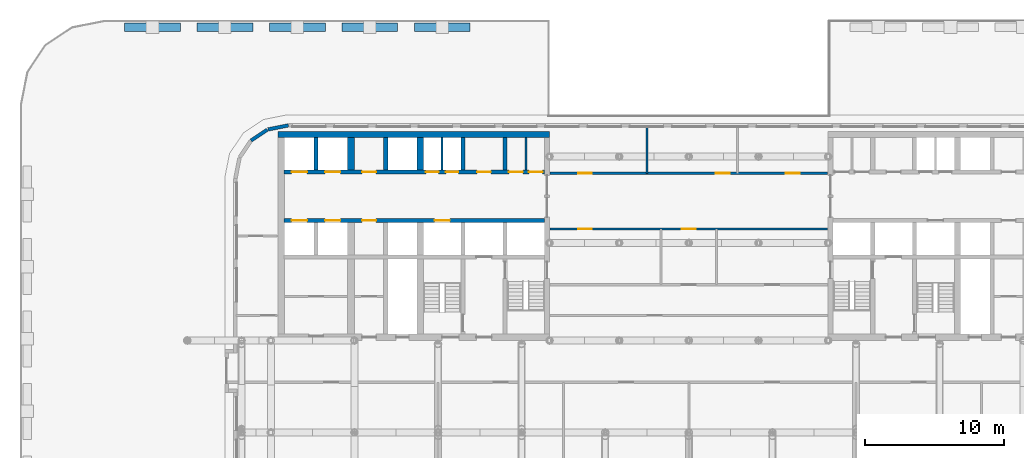
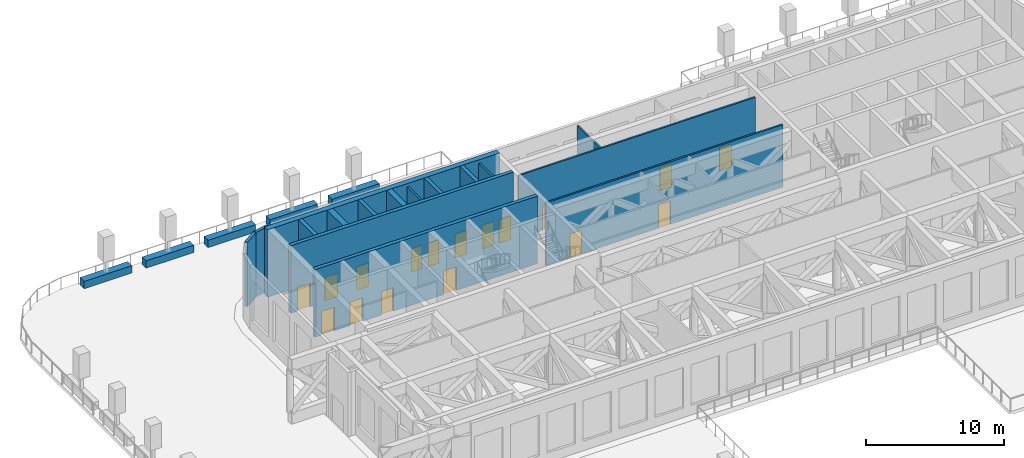
# One storey, part 12 of 20: 21 walls, 17 doors, 17 openings.
"""IFC4 building model written with IfcOpenShell, lengths in metres."""

from ifc_helpers import new_model, si_unit, direction, frame, frame_2d, origin, place, context, subcontext, project, spatial, rectangle, extrude, material, layer, layer_set, type_object, element, fill, save


model = new_model("IFC4")

# Units and contexts
model_context = context("Model", 3, precision=1e-05, world=origin(), true_north=direction((0.0, 1.0)))
body_context = subcontext(model_context, "Body", "Model", "MODEL_VIEW")
ifc_project = project(units=[si_unit("LENGTHUNIT", "METRE"), si_unit("AREAUNIT", "SQUARE_METRE"), si_unit("VOLUMEUNIT", "CUBIC_METRE"), si_unit("PLANEANGLEUNIT", "RADIAN"), si_unit("MASSUNIT", "GRAM", prefix="KILO")], contexts=[model_context])

# Site, building, storey
site_placement = place(None, origin())
site = spatial("IfcSite", under=ifc_project, at=site_placement, CompositionType="ELEMENT")
building_placement = place(site_placement, origin())
building = spatial("IfcBuilding", under=site, at=building_placement, Name="Torana Hotel and Residences", CompositionType="ELEMENT")
storey_placement = place(building_placement, frame((0.0, 0.0, 18.0)))
storey = spatial("IfcBuildingStorey", under=building, at=storey_placement, Name="L03", CompositionType="ELEMENT", Elevation=18.0)

# Wall, openings, doors
ifc_material_1 = material(Name="Concrete C80/95", Category="concrete")
ifc_layer_1 = layer(ifc_material_1, 0.300048828125)
ifc_layer_set_1 = layer_set([ifc_layer_1], Name="CORE WALL 300 C80/95")
wall_type_1 = type_object("IfcWallType", Name="CORE WALL 300 C80/95", PredefinedType="SHEAR", material=ifc_layer_set_1)
wall_1_placement = place(storey_placement, frame((-29.050048828125, -2.89990234375, 0.0), z_axis=(0.0, 0.0, 1.0), x_axis=(1.0, 0.0, 0.0)))
wall_1 = element("IfcWall", 1, at=wall_1_placement, inside=storey, type_object=wall_type_1, Name="Core wall W row-N", PredefinedType="SHEAR", context=body_context, shape_type="SweptSolid", body=[
    extrude(rectangle(XDim=18.699951171875, YDim=0.300048828125, at=frame_2d((9.35009765625, 0.0))), origin(), (0.0, 0.0, 1.0), 6.0),
])
opening_1_placement = place(wall_1_placement, frame((2.949951171875, 0.0, 0.0)))
opening_1 = element("IfcOpeningElement", 2, at=opening_1_placement, cuts=wall_1, Name="Opening LD", PredefinedType="OPENING", context=body_context, shape_type="SweptSolid", body=[
    extrude(rectangle(XDim=1.10009765625, YDim=2.10009765625, at=frame_2d((0.550048828125, 1.050048828125))), frame((0.0, 0.159912109375, 0.0), z_axis=(0.0, -1.0, 0.0), x_axis=(1.0, 0.0, 0.0)), (0.0, 0.0, 1.0), 0.320068359375),
])
opening_2_placement = place(wall_1_placement, frame((0.550048828125, 0.0, 0.0)))
opening_2 = element("IfcOpeningElement", 3, at=opening_2_placement, cuts=wall_1, Name="Opening LD", PredefinedType="OPENING", context=body_context, shape_type="SweptSolid", body=[
    extrude(rectangle(XDim=1.10009765625, YDim=2.10009765625, at=frame_2d((0.550048828125, 1.050048828125))), frame((0.0, 0.159912109375, 0.0), z_axis=(0.0, -1.0, 0.0), x_axis=(1.0, 0.0, 0.0)), (0.0, 0.0, 1.0), 0.320068359375),
])
opening_3_placement = place(wall_1_placement, frame((11.612548828125, 0.0, 0.0)))
opening_3 = element("IfcOpeningElement", 4, at=opening_3_placement, cuts=wall_1, Name="Opening L03-09", PredefinedType="OPENING", context=body_context, shape_type="SweptSolid", body=[
    extrude(rectangle(XDim=0.89990234375, YDim=2.10009765625, at=frame_2d((0.449951171875, 1.050048828125))), frame((0.0, 0.159912109375, 0.0), z_axis=(0.0, -1.0, 0.0), x_axis=(1.0, 0.0, 0.0)), (0.0, 0.0, 1.0), 0.320068359375),
])
opening_4_placement = place(wall_1_placement, frame((10.1875, 0.0, 0.0)))
opening_4 = element("IfcOpeningElement", 5, at=opening_4_placement, cuts=wall_1, Name="Opening L03-10", PredefinedType="OPENING", context=body_context, shape_type="SweptSolid", body=[
    extrude(rectangle(XDim=0.89990234375, YDim=2.10009765625, at=frame_2d((0.449951171875, 1.050048828125))), frame((0.0, 0.159912109375, 0.0), z_axis=(0.0, -1.0, 0.0), x_axis=(1.0, 0.0, 0.0)), (0.0, 0.0, 1.0), 0.320068359375),
])
opening_5_placement = place(wall_1_placement, frame((17.5625, 0.0, 0.0)))
opening_5 = element("IfcOpeningElement", 6, at=opening_5_placement, cuts=wall_1, Name="Opening L03-11", PredefinedType="OPENING", context=body_context, shape_type="SweptSolid", body=[
    extrude(rectangle(XDim=1.0, YDim=2.10009765625, at=frame_2d((0.5, 1.050048828125))), frame((0.0, 0.159912109375, 0.0), z_axis=(0.0, -1.0, 0.0), x_axis=(1.0, 0.0, 0.0)), (0.0, 0.0, 1.0), 0.320068359375),
])
opening_6_placement = place(wall_1_placement, frame((16.137451171875, 0.0, 0.0)))
opening_6 = element("IfcOpeningElement", 7, at=opening_6_placement, cuts=wall_1, Name="Opening L03-12", PredefinedType="OPENING", context=body_context, shape_type="SweptSolid", body=[
    extrude(rectangle(XDim=1.0, YDim=2.10009765625, at=frame_2d((0.5, 1.050048828125))), frame((0.0, 0.159912109375, 0.0), z_axis=(0.0, -1.0, 0.0), x_axis=(1.0, 0.0, 0.0)), (0.0, 0.0, 1.0), 0.320068359375),
])
opening_7_placement = place(wall_1_placement, frame((13.85009765625, 0.0, 0.0)))
opening_7 = element("IfcOpeningElement", 8, at=opening_7_placement, cuts=wall_1, Name="Opening L03-13", PredefinedType="OPENING", context=body_context, shape_type="SweptSolid", body=[
    extrude(rectangle(XDim=1.0, YDim=2.10009765625, at=frame_2d((0.5, 1.050048828125))), frame((0.0, 0.159912109375, 0.0), z_axis=(0.0, -1.0, 0.0), x_axis=(1.0, 0.0, 0.0)), (0.0, 0.0, 1.0), 0.320068359375),
])
opening_8_placement = place(wall_1_placement, frame((5.60009765625, 0.0, 0.0)))
opening_8 = element("IfcOpeningElement", 9, at=opening_8_placement, cuts=wall_1, Name="Opening L03-14", PredefinedType="OPENING", context=body_context, shape_type="SweptSolid", body=[
    extrude(rectangle(XDim=1.0, YDim=2.10009765625, at=frame_2d((0.5, 1.050048828125))), frame((0.0, 0.159912109375, 0.0), z_axis=(0.0, -1.0, 0.0), x_axis=(1.0, 0.0, 0.0)), (0.0, 0.0, 1.0), 0.320068359375),
])
ifc_material_2 = material(Name="Steel S235", Category="steel")
door_type_1 = type_object("IfcDoorType", Name="CORE ROOM FIRE DOOR D14 1000x2100", OperationType="SINGLE_SWING_LEFT", PredefinedType="DOOR", material=ifc_material_2)
door_1_placement = place(opening_5_placement, origin())
door_1 = element("IfcDoor", 10, at=door_1_placement, inside=storey, type_object=door_type_1, Name="N0A door L03", OperationType="SINGLE_SWING_RIGHT", OverallHeight=2.10009765625, OverallWidth=1.0, PredefinedType="DOOR", context=body_context, shape_type="SweptSolid", body=[
    extrude(rectangle(XDim=1.0, YDim=2.10009765625, at=frame_2d((0.5, 1.050048828125))), frame((0.0, 0.02490234375, 0.0), z_axis=(0.0, -1.0, 0.0), x_axis=(1.0, 0.0, 0.0)), (0.0, 0.0, 1.0), 0.050048828125),
])
fill(opening_5, door_1)
door_2_placement = place(opening_6_placement, origin())
door_2 = element("IfcDoor", 11, at=door_2_placement, inside=storey, type_object=door_type_1, Name="N0B door L03", OperationType="SINGLE_SWING_RIGHT", OverallHeight=2.10009765625, OverallWidth=1.0, PredefinedType="DOOR", context=body_context, shape_type="SweptSolid", body=[
    extrude(rectangle(XDim=1.0, YDim=2.10009765625, at=frame_2d((0.5, 1.050048828125))), frame((0.0, 0.02490234375, 0.0), z_axis=(0.0, -1.0, 0.0), x_axis=(1.0, 0.0, 0.0)), (0.0, 0.0, 1.0), 0.050048828125),
])
fill(opening_6, door_2)
door_3_placement = place(opening_7_placement, origin())
door_3 = element("IfcDoor", 12, at=door_3_placement, inside=storey, type_object=door_type_1, Name="N1 door L03", OperationType="SINGLE_SWING_RIGHT", OverallHeight=2.10009765625, OverallWidth=1.0, PredefinedType="DOOR", context=body_context, shape_type="SweptSolid", body=[
    extrude(rectangle(XDim=1.0, YDim=2.10009765625, at=frame_2d((0.5, 1.050048828125))), frame((0.0, 0.02490234375, 0.0), z_axis=(0.0, -1.0, 0.0), x_axis=(1.0, 0.0, 0.0)), (0.0, 0.0, 1.0), 0.050048828125),
])
fill(opening_7, door_3)
door_4_placement = place(opening_8_placement, origin())
door_4 = element("IfcDoor", 13, at=door_4_placement, inside=storey, type_object=door_type_1, Name="Free-M1 door L03", OperationType="SINGLE_SWING_RIGHT", OverallHeight=2.10009765625, OverallWidth=1.0, PredefinedType="DOOR", context=body_context, shape_type="SweptSolid", body=[
    extrude(rectangle(XDim=1.0, YDim=2.10009765625, at=frame_2d((0.5, 1.050048828125))), frame((0.0, 0.02490234375, 0.0), z_axis=(0.0, -1.0, 0.0), x_axis=(1.0, 0.0, 0.0)), (0.0, 0.0, 1.0), 0.050048828125),
])
fill(opening_8, door_4)
ifc_material_3 = material(Name="Stainless steel 316", Category="steel")
door_type_2 = type_object("IfcDoorType", Name="LIFT LANDING DOOR LD 1100x2100", OperationType="DOUBLE_DOOR_SLIDING", PredefinedType="USERDEFINED", material=ifc_material_3)
door_5_placement = place(opening_1_placement, origin())
door_5 = element("IfcDoor", 14, at=door_5_placement, inside=storey, type_object=door_type_2, Name="Lift landing door L1 L03", ObjectType="LIFT LANDING DOOR", OperationType="DOUBLE_DOOR_SLIDING", OverallHeight=2.10009765625, OverallWidth=1.10009765625, PredefinedType="USERDEFINED", context=body_context, shape_type="SweptSolid", body=[
    extrude(rectangle(XDim=1.10009765625, YDim=2.10009765625, at=frame_2d((0.550048828125, 1.050048828125))), frame((0.0, 0.02490234375, 0.0), z_axis=(0.0, -1.0, 0.0), x_axis=(1.0, 0.0, 0.0)), (0.0, 0.0, 1.0), 0.050048828125),
])
fill(opening_1, door_5)
door_6_placement = place(opening_2_placement, origin())
door_6 = element("IfcDoor", 15, at=door_6_placement, inside=storey, type_object=door_type_2, Name="Lift landing door L2 L03", ObjectType="LIFT LANDING DOOR", OperationType="DOUBLE_DOOR_SLIDING", OverallHeight=2.10009765625, OverallWidth=1.10009765625, PredefinedType="USERDEFINED", context=body_context, shape_type="SweptSolid", body=[
    extrude(rectangle(XDim=1.10009765625, YDim=2.10009765625, at=frame_2d((0.550048828125, 1.050048828125))), frame((0.0, 0.02490234375, 0.0), z_axis=(0.0, -1.0, 0.0), x_axis=(1.0, 0.0, 0.0)), (0.0, 0.0, 1.0), 0.050048828125),
])
fill(opening_2, door_6)
ifc_material_4 = material(Name="Steel S235", Category="steel")
door_type_3 = type_object("IfcDoorType", Name="RISER ACCESS DOOR D5 900x2100", OperationType="SINGLE_SWING_LEFT", PredefinedType="DOOR", material=ifc_material_4)
door_7_placement = place(opening_3_placement, origin())
door_7 = element("IfcDoor", 16, at=door_7_placement, inside=storey, type_object=door_type_3, Name="N2A door L03", OperationType="SINGLE_SWING_RIGHT", OverallHeight=2.10009765625, OverallWidth=0.89990234375, PredefinedType="DOOR", context=body_context, shape_type="SweptSolid", body=[
    extrude(rectangle(XDim=0.89990234375, YDim=2.10009765625, at=frame_2d((0.449951171875, 1.050048828125))), frame((0.0, 0.02490234375, 0.0), z_axis=(0.0, -1.0, 0.0), x_axis=(1.0, 0.0, 0.0)), (0.0, 0.0, 1.0), 0.050048828125),
])
fill(opening_3, door_7)
door_8_placement = place(opening_4_placement, origin())
door_8 = element("IfcDoor", 17, at=door_8_placement, inside=storey, type_object=door_type_3, Name="N2B door L03", OperationType="SINGLE_SWING_RIGHT", OverallHeight=2.10009765625, OverallWidth=0.89990234375, PredefinedType="DOOR", context=body_context, shape_type="SweptSolid", body=[
    extrude(rectangle(XDim=0.89990234375, YDim=2.10009765625, at=frame_2d((0.449951171875, 1.050048828125))), frame((0.0, 0.02490234375, 0.0), z_axis=(0.0, -1.0, 0.0), x_axis=(1.0, 0.0, 0.0)), (0.0, 0.0, 1.0), 0.050048828125),
])
fill(opening_4, door_8)

wall_2_placement = place(storey_placement, frame((-29.050048828125, -6.39990234375, 0.0), z_axis=(0.0, 0.0, 1.0), x_axis=(1.0, 0.0, 0.0)))
wall_2 = element("IfcWall", 18, at=wall_2_placement, inside=storey, type_object=wall_type_1, Name="Core wall W row-S", PredefinedType="SHEAR", context=body_context, shape_type="SweptSolid", body=[
    extrude(rectangle(XDim=18.699951171875, YDim=0.300048828125, at=frame_2d((9.35009765625, 0.0))), origin(), (0.0, 0.0, 1.0), 6.0),
])
opening_9_placement = place(wall_2_placement, frame((2.949951171875, 0.0, 0.0)))
opening_9 = element("IfcOpeningElement", 19, at=opening_9_placement, cuts=wall_2, Name="Opening LD", PredefinedType="OPENING", context=body_context, shape_type="SweptSolid", body=[
    extrude(rectangle(XDim=1.10009765625, YDim=2.10009765625, at=frame_2d((0.550048828125, 1.050048828125))), frame((0.0, 0.159912109375, 0.0), z_axis=(0.0, -1.0, 0.0), x_axis=(1.0, 0.0, 0.0)), (0.0, 0.0, 1.0), 0.320068359375),
])
opening_10_placement = place(wall_2_placement, frame((0.550048828125, 0.0, 0.0)))
opening_10 = element("IfcOpeningElement", 20, at=opening_10_placement, cuts=wall_2, Name="Opening LD", PredefinedType="OPENING", context=body_context, shape_type="SweptSolid", body=[
    extrude(rectangle(XDim=1.10009765625, YDim=2.10009765625, at=frame_2d((0.550048828125, 1.050048828125))), frame((0.0, 0.159912109375, 0.0), z_axis=(0.0, -1.0, 0.0), x_axis=(1.0, 0.0, 0.0)), (0.0, 0.0, 1.0), 0.320068359375),
])
opening_11_placement = place(wall_2_placement, frame((10.800048828125, 0.0, 0.0)))
opening_11 = element("IfcOpeningElement", 21, at=opening_11_placement, cuts=wall_2, Name="Opening LD", PredefinedType="OPENING", context=body_context, shape_type="SweptSolid", body=[
    extrude(rectangle(XDim=1.10009765625, YDim=2.10009765625, at=frame_2d((0.550048828125, 1.050048828125))), frame((0.0, 0.159912109375, 0.0), z_axis=(0.0, -1.0, 0.0), x_axis=(1.0, 0.0, 0.0)), (0.0, 0.0, 1.0), 0.320068359375),
])
opening_12_placement = place(wall_2_placement, frame((5.60009765625, 0.0, 0.0)))
opening_12 = element("IfcOpeningElement", 22, at=opening_12_placement, cuts=wall_2, Name="Opening L03-15", PredefinedType="OPENING", context=body_context, shape_type="SweptSolid", body=[
    extrude(rectangle(XDim=1.0, YDim=2.10009765625, at=frame_2d((0.5, 1.050048828125))), frame((0.0, 0.159912109375, 0.0), z_axis=(0.0, -1.0, 0.0), x_axis=(1.0, 0.0, 0.0)), (0.0, 0.0, 1.0), 0.320068359375),
])
door_9_placement = place(opening_12_placement, frame((0.5, 0.0, 0.0), z_axis=(0.0, 0.0, 1.0), x_axis=(-1.0, 0.0, 0.0)))
door_9 = element("IfcDoor", 23, at=door_9_placement, inside=storey, type_object=door_type_1, Name="Free-M2 door L03", OperationType="SINGLE_SWING_LEFT", OverallHeight=2.10009765625, OverallWidth=1.0, PredefinedType="DOOR", context=body_context, shape_type="SweptSolid", body=[
    extrude(rectangle(XDim=1.0, YDim=2.10009765625, at=frame_2d((0.0, 1.050048828125))), frame((0.0, -0.02490234375, 0.0), z_axis=(0.0, 1.0, 0.0), x_axis=(-1.0, 0.0, 0.0)), (0.0, 0.0, 1.0), 0.050048828125),
])
fill(opening_12, door_9)
door_10_placement = place(opening_9_placement, origin())
door_10 = element("IfcDoor", 24, at=door_10_placement, inside=storey, type_object=door_type_2, Name="Lift landing door L3 L03", ObjectType="LIFT LANDING DOOR", OperationType="DOUBLE_DOOR_SLIDING", OverallHeight=2.10009765625, OverallWidth=1.10009765625, PredefinedType="USERDEFINED", context=body_context, shape_type="SweptSolid", body=[
    extrude(rectangle(XDim=1.10009765625, YDim=2.10009765625, at=frame_2d((0.550048828125, 1.050048828125))), frame((0.0, 0.02490234375, 0.0), z_axis=(0.0, -1.0, 0.0), x_axis=(1.0, 0.0, 0.0)), (0.0, 0.0, 1.0), 0.050048828125),
])
fill(opening_9, door_10)
door_11_placement = place(opening_10_placement, origin())
door_11 = element("IfcDoor", 25, at=door_11_placement, inside=storey, type_object=door_type_2, Name="Lift landing door L4 L03", ObjectType="LIFT LANDING DOOR", OperationType="DOUBLE_DOOR_SLIDING", OverallHeight=2.10009765625, OverallWidth=1.10009765625, PredefinedType="USERDEFINED", context=body_context, shape_type="SweptSolid", body=[
    extrude(rectangle(XDim=1.10009765625, YDim=2.10009765625, at=frame_2d((0.550048828125, 1.050048828125))), frame((0.0, 0.02490234375, 0.0), z_axis=(0.0, -1.0, 0.0), x_axis=(1.0, 0.0, 0.0)), (0.0, 0.0, 1.0), 0.050048828125),
])
fill(opening_10, door_11)
door_12_placement = place(opening_11_placement, origin())
door_12 = element("IfcDoor", 26, at=door_12_placement, inside=storey, type_object=door_type_2, Name="Lift landing door SV1 L03", ObjectType="LIFT LANDING DOOR", OperationType="DOUBLE_DOOR_SLIDING", OverallHeight=2.10009765625, OverallWidth=1.10009765625, PredefinedType="USERDEFINED", context=body_context, shape_type="SweptSolid", body=[
    extrude(rectangle(XDim=1.10009765625, YDim=2.10009765625, at=frame_2d((0.550048828125, 1.050048828125))), frame((0.0, 0.02490234375, 0.0), z_axis=(0.0, -1.0, 0.0), x_axis=(1.0, 0.0, 0.0)), (0.0, 0.0, 1.0), 0.050048828125),
])
fill(opening_11, door_12)

# Walls
for number, where, z_axis, x_axis, name in (
    (27, (-13.199951171875, -2.75, 0.0), (0.0, 0.0, 1.0), (0.0, 1.0, 0.0), "Core wall W x3.05-N"),
    (28, (-16.199951171875, -2.75, 0.0), (0.0, 0.0, 1.0), (0.0, 1.0, 0.0), "Core wall W x6.05-N"),
    (29, (-21.75, -2.75, 0.0), (0.0, 0.0, 1.0), (0.0, 1.0, 0.0), "Core wall W mm-N"),
    (30, (-26.75, -2.75, 0.0), (0.0, 0.0, 1.0), (0.0, 1.0, 0.0), "Core wall W ll-N"),
):
    element("IfcWall", number, at=place(storey_placement, frame(where, z_axis=z_axis, x_axis=x_axis)), inside=storey, type_object=wall_type_1, Name=name, PredefinedType="SHEAR", context=body_context, shape_type="SweptSolid", body=[
        extrude(rectangle(XDim=2.300048828125, YDim=0.300048828125, at=frame_2d((1.14990234375, 0.0))), origin(), (0.0, 0.0, 1.0), 6.0),
    ])
ifc_material_5 = material(Name="Concrete C80/95", Category="concrete")
ifc_layer_2 = layer(ifc_material_5, 0.449951171875)
ifc_layer_set_2 = layer_set([ifc_layer_2], Name="CORE WALL 450 C80/95")
wall_type_2 = type_object("IfcWallType", Name="CORE WALL 450 C80/95", PredefinedType="SHEAR", material=ifc_layer_set_2)
wall_3_placement = place(storey_placement, frame((-29.5, -0.22509765625, 0.0), z_axis=(0.0, 0.0, 1.0), x_axis=(1.0, 0.0, 0.0)))
element("IfcWall", 31, at=wall_3_placement, inside=storey, type_object=wall_type_2, Name="Core wall W rear", PredefinedType="SHEAR", context=body_context, shape_type="SweptSolid", body=[
    extrude(rectangle(XDim=19.5, YDim=0.449951171875, at=frame_2d((9.75, 0.0))), origin(), (0.0, 0.0, 1.0), 6.0),
])
wall_4_placement = place(storey_placement, frame((-19.27490234375, -2.75, 0.0), z_axis=(0.0, 0.0, 1.0), x_axis=(0.0, 1.0, 0.0)))
element("IfcWall", 32, at=wall_4_placement, inside=storey, type_object=wall_type_2, Name="Core wall W hm-N", PredefinedType="SHEAR", context=body_context, shape_type="SweptSolid", body=[
    extrude(rectangle(XDim=2.300048828125, YDim=0.449951171875, at=frame_2d((1.14990234375, 0.0))), origin(), (0.0, 0.0, 1.0), 6.0),
])
ifc_material_6 = material(Name="Concrete C80/95", Category="concrete")
ifc_layer_3 = layer(ifc_material_6, 0.5)
ifc_layer_set_3 = layer_set([ifc_layer_3], Name="CORE WALL 500 C80/95")
wall_type_3 = type_object("IfcWallType", Name="CORE WALL 500 C80/95", PredefinedType="SHEAR", material=ifc_layer_set_3)
wall_5_placement = place(storey_placement, frame((-24.25, -2.75, 0.0), z_axis=(0.0, 0.0, 1.0), x_axis=(0.0, 1.0, 0.0)))
element("IfcWall", 33, at=wall_5_placement, inside=storey, type_object=wall_type_3, Name="Core wall W ml-N", PredefinedType="SHEAR", context=body_context, shape_type="SweptSolid", body=[
    extrude(rectangle(XDim=2.300048828125, YDim=0.5, at=frame_2d((1.14990234375, 0.0))), origin(), (0.0, 0.0, 1.0), 6.0),
])
ifc_material_7 = material(Name="Aluminium louvre wall", Category="aluminium")
ifc_layer_4 = layer(ifc_material_7, 0.25)
ifc_layer_set_4 = layer_set([ifc_layer_4], Name="EW3 LOUVRE WALL 250")
wall_type_4 = type_object("IfcWallType", Name="EW3 LOUVRE WALL 250", PredefinedType="SOLIDWALL", material=ifc_layer_set_4)
wall_6_placement = place(storey_placement, frame((-28.737060546875, 0.4365234375, 0.0), z_axis=(0.0, 0.0, 1.0), x_axis=(-0.980800292268, -0.195014837095, 0.0)))
element("IfcWall", 34, at=wall_6_placement, inside=storey, type_object=wall_type_4, Name="Louvre wall L03 e0.5", PredefinedType="SOLIDWALL", context=body_context, shape_type="SweptSolid", body=[
    extrude(rectangle(XDim=1.4921875, YDim=0.25, at=frame_2d((0.74609375, 0.0))), origin(), (0.0, 0.0, 1.0), 5.719970703125),
])
wall_7_placement = place(storey_placement, frame((-30.245849609375, 0.126708984375, 0.0), z_axis=(0.0, 0.0, 1.0), x_axis=(-0.831487752648, -0.555543083115, 0.0)))
element("IfcWall", 35, at=wall_7_placement, inside=storey, type_object=wall_type_4, Name="Louvre wall L03 e0.6", PredefinedType="SOLIDWALL", context=body_context, shape_type="SweptSolid", body=[
    extrude(rectangle(XDim=1.4033203125, YDim=0.25, at=frame_2d((0.70166015625, 0.0))), origin(), (0.0, 0.0, 1.0), 5.719970703125),
])
ifc_material_8 = material(Name="Gypsum plaster")
ifc_layer_5 = layer(ifc_material_8, 0.014892578125, Name="Plaster", Category="finish")
ifc_material_9 = material(Name="Concrete blockwork", Category="masonry")
ifc_layer_6 = layer(ifc_material_9, 0.1201171875, Name="Blockwork", Category="structure")
ifc_layer_7 = layer(ifc_material_8, 0.014892578125, Name="Plaster", Category="finish")
ifc_layer_set_5 = layer_set([ifc_layer_5, ifc_layer_6, ifc_layer_7], Name="FIRE PARTITION 150 BLOCKWORK")
wall_type_5 = type_object("IfcWallType", Name="FIRE PARTITION 150 BLOCKWORK", PredefinedType="PARTITIONING", material=ifc_layer_set_5)
for number, where, z_axis, x_axis, name in (
    (36, (-17.699951171875, -2.75, 0.0), (0.0, 0.0, 1.0), (0.0, 1.0, 0.0), "Core partition L03"),
    (37, (-11.699951171875, -2.75, 0.0), (0.0, 0.0, 1.0), (0.0, 1.0, 0.0), "Core partition L03"),
):
    element("IfcWall", number, at=place(storey_placement, frame(where, z_axis=z_axis, x_axis=x_axis)), inside=storey, type_object=wall_type_5, Name=name, PredefinedType="PARTITIONING", context=body_context, shape_type="SweptSolid", body=[
        extrude(rectangle(XDim=2.300048828125, YDim=0.14990234375, at=frame_2d((1.14990234375, 0.0))), origin(), (0.0, 0.0, 1.0), 5.699951171875),
    ])

# Wall, openings, doors
wall_8_placement = place(storey_placement, frame((-9.949951171875, -7.0, 0.0), z_axis=(0.0, 0.0, 1.0), x_axis=(1.0, 0.0, 0.0)))
wall_8 = element("IfcWall", 38, at=wall_8_placement, inside=storey, type_object=wall_type_5, Name="Partition L03", PredefinedType="PARTITIONING", context=body_context, shape_type="SweptSolid", body=[
    extrude(rectangle(XDim=19.89990234375, YDim=0.14990234375, at=frame_2d((9.949951171875, 0.0))), origin(), (0.0, 0.0, 1.0), 5.550048828125),
])
opening_13_placement = place(wall_8_placement, frame((9.449951171875, 0.0, 0.0)))
opening_13 = element("IfcOpeningElement", 39, at=opening_13_placement, cuts=wall_8, Name="Opening L03-50", PredefinedType="OPENING", context=body_context, shape_type="SweptSolid", body=[
    extrude(rectangle(XDim=1.0, YDim=2.10009765625, at=frame_2d((0.5, 1.050048828125))), frame((0.0, 0.0849609375, 0.0), z_axis=(0.0, -1.0, 0.0), x_axis=(1.0, 0.0, 0.0)), (0.0, 0.0, 1.0), 0.169921875),
])
opening_14_placement = place(wall_8_placement, frame((2.0, 0.0, 0.0)))
opening_14 = element("IfcOpeningElement", 40, at=opening_14_placement, cuts=wall_8, Name="Opening L03-51", PredefinedType="OPENING", context=body_context, shape_type="SweptSolid", body=[
    extrude(rectangle(XDim=1.0, YDim=2.10009765625, at=frame_2d((0.5, 1.050048828125))), frame((0.0, 0.0849609375, 0.0), z_axis=(0.0, -1.0, 0.0), x_axis=(1.0, 0.0, 0.0)), (0.0, 0.0, 1.0), 0.169921875),
])
ifc_material_10 = material(Name="Steel S235", Category="steel")
door_type_4 = type_object("IfcDoorType", Name="ENTRY FIRE DOOR D6 1000x2100", OperationType="SINGLE_SWING_LEFT", PredefinedType="DOOR", material=ifc_material_10)
door_13_placement = place(opening_13_placement, origin())
door_13 = element("IfcDoor", 41, at=door_13_placement, inside=storey, type_object=door_type_4, Name="Door L03", OperationType="SINGLE_SWING_RIGHT", OverallHeight=2.10009765625, OverallWidth=1.0, PredefinedType="DOOR", context=body_context, shape_type="SweptSolid", body=[
    extrude(rectangle(XDim=1.0, YDim=2.10009765625, at=frame_2d((0.5, 1.050048828125))), frame((0.0, 0.02490234375, 0.0), z_axis=(0.0, -1.0, 0.0), x_axis=(1.0, 0.0, 0.0)), (0.0, 0.0, 1.0), 0.050048828125),
])
fill(opening_13, door_13)
door_14_placement = place(opening_14_placement, frame((0.5, 0.0, 0.0), z_axis=(0.0, 0.0, 1.0), x_axis=(-1.0, 0.0, 0.0)))
door_14 = element("IfcDoor", 42, at=door_14_placement, inside=storey, type_object=door_type_4, Name="Door L03", OperationType="SINGLE_SWING_LEFT", OverallHeight=2.10009765625, OverallWidth=1.0, PredefinedType="DOOR", context=body_context, shape_type="SweptSolid", body=[
    extrude(rectangle(XDim=1.0, YDim=2.10009765625, at=frame_2d((0.0, 1.050048828125))), frame((0.0, -0.02490234375, 0.0), z_axis=(0.0, 1.0, 0.0), x_axis=(-1.0, 0.0, 0.0)), (0.0, 0.0, 1.0), 0.050048828125),
])
fill(opening_14, door_14)

wall_9_placement = place(storey_placement, frame((-9.949951171875, -3.0, 0.0), z_axis=(0.0, 0.0, 1.0), x_axis=(1.0, 0.0, 0.0)))
wall_9 = element("IfcWall", 43, at=wall_9_placement, inside=storey, type_object=wall_type_5, Name="Partition L03", PredefinedType="PARTITIONING", context=body_context, shape_type="SweptSolid", body=[
    extrude(rectangle(XDim=19.89990234375, YDim=0.14990234375, at=frame_2d((9.949951171875, 0.0))), origin(), (0.0, 0.0, 1.0), 5.550048828125),
])
opening_15_placement = place(wall_9_placement, frame((2.0, 0.0, 0.0)))
opening_15 = element("IfcOpeningElement", 44, at=opening_15_placement, cuts=wall_9, Name="Opening L03-52", PredefinedType="OPENING", context=body_context, shape_type="SweptSolid", body=[
    extrude(rectangle(XDim=1.0, YDim=2.10009765625, at=frame_2d((0.5, 1.050048828125))), frame((0.0, 0.0849609375, 0.0), z_axis=(0.0, -1.0, 0.0), x_axis=(1.0, 0.0, 0.0)), (0.0, 0.0, 1.0), 0.169921875),
])
opening_16_placement = place(wall_9_placement, frame((11.89990234375, 0.0, 0.0)))
opening_16 = element("IfcOpeningElement", 45, at=opening_16_placement, cuts=wall_9, Name="Opening L03-53", PredefinedType="OPENING", context=body_context, shape_type="SweptSolid", body=[
    extrude(rectangle(XDim=1.0, YDim=2.10009765625, at=frame_2d((0.5, 1.050048828125))), frame((0.0, 0.0849609375, 0.0), z_axis=(0.0, -1.0, 0.0), x_axis=(1.0, 0.0, 0.0)), (0.0, 0.0, 1.0), 0.169921875),
])
opening_17_placement = place(wall_9_placement, frame((16.89990234375, 0.0, 0.0)))
opening_17 = element("IfcOpeningElement", 46, at=opening_17_placement, cuts=wall_9, Name="Opening L03-54", PredefinedType="OPENING", context=body_context, shape_type="SweptSolid", body=[
    extrude(rectangle(XDim=1.0, YDim=2.10009765625, at=frame_2d((0.5, 1.050048828125))), frame((0.0, 0.0849609375, 0.0), z_axis=(0.0, -1.0, 0.0), x_axis=(1.0, 0.0, 0.0)), (0.0, 0.0, 1.0), 0.169921875),
])
door_15_placement = place(opening_15_placement, origin())
door_15 = element("IfcDoor", 47, at=door_15_placement, inside=storey, type_object=door_type_4, Name="Door L03", OperationType="SINGLE_SWING_RIGHT", OverallHeight=2.10009765625, OverallWidth=1.0, PredefinedType="DOOR", context=body_context, shape_type="SweptSolid", body=[
    extrude(rectangle(XDim=1.0, YDim=2.10009765625, at=frame_2d((0.5, 1.050048828125))), frame((0.0, 0.02490234375, 0.0), z_axis=(0.0, -1.0, 0.0), x_axis=(1.0, 0.0, 0.0)), (0.0, 0.0, 1.0), 0.050048828125),
])
fill(opening_15, door_15)
door_16_placement = place(opening_16_placement, origin())
door_16 = element("IfcDoor", 48, at=door_16_placement, inside=storey, type_object=door_type_4, Name="Door L03", OperationType="SINGLE_SWING_LEFT", OverallHeight=2.10009765625, OverallWidth=1.0, PredefinedType="DOOR", context=body_context, shape_type="SweptSolid", body=[
    extrude(rectangle(XDim=1.0, YDim=2.10009765625, at=frame_2d((0.5, 1.050048828125))), frame((0.0, 0.02490234375, 0.0), z_axis=(0.0, -1.0, 0.0), x_axis=(1.0, 0.0, 0.0)), (0.0, 0.0, 1.0), 0.050048828125),
])
fill(opening_16, door_16)
door_17_placement = place(opening_17_placement, origin())
door_17 = element("IfcDoor", 49, at=door_17_placement, inside=storey, type_object=door_type_4, Name="Door L03", OperationType="SINGLE_SWING_RIGHT", OverallHeight=2.10009765625, OverallWidth=1.0, PredefinedType="DOOR", context=body_context, shape_type="SweptSolid", body=[
    extrude(rectangle(XDim=1.0, YDim=2.10009765625, at=frame_2d((0.5, 1.050048828125))), frame((0.0, 0.02490234375, 0.0), z_axis=(0.0, -1.0, 0.0), x_axis=(1.0, 0.0, 0.0)), (0.0, 0.0, 1.0), 0.050048828125),
])
fill(opening_17, door_17)

# Walls
ifc_material_11 = material(Name="Gypsum plasterboard")
ifc_layer_8 = layer(ifc_material_11, 0.012451171875, Name="Plasterboard", Category="finish")
ifc_layer_9 = layer(ifc_material_11, 0.012451171875, Name="Plasterboard", Category="finish")
ifc_material_12 = material(Name="Steel S280GD", Category="steel")
ifc_layer_10 = layer(ifc_material_12, 0.10009765625, Name="Steel studs with mineral wool", Category="insulation")
ifc_layer_11 = layer(ifc_material_11, 0.012451171875, Name="Plasterboard", Category="finish")
ifc_layer_12 = layer(ifc_material_11, 0.012451171875, Name="Plasterboard", Category="finish")
ifc_layer_set_6 = layer_set([ifc_layer_8, ifc_layer_9, ifc_layer_10, ifc_layer_11, ifc_layer_12], Name="PARTITION 150 PLASTERBOARD")
wall_type_6 = type_object("IfcWallType", Name="PARTITION 150 PLASTERBOARD", PredefinedType="PARTITIONING", material=ifc_layer_set_6)
wall_10_placement = place(storey_placement, frame((-3.0, -3.0, 0.0), z_axis=(0.0, 0.0, 1.0), x_axis=(0.0, 1.0, 0.0)))
element("IfcWall", 50, at=wall_10_placement, inside=storey, type_object=wall_type_6, Name="Partition L03", PredefinedType="PARTITIONING", context=body_context, shape_type="SweptSolid", body=[
    extrude(rectangle(XDim=3.3125, YDim=0.14990234375, at=frame_2d((1.65625, 0.0))), origin(), (0.0, 0.0, 1.0), 5.550048828125),
])
ifc_material_13 = material(Name="Concrete C40/50 precast", Category="concrete")
ifc_layer_13 = layer(ifc_material_13, 0.10009765625, Name="Planter shell", Category="structure")
ifc_material_14 = material(Name="Root resistant membrane")
ifc_layer_14 = layer(ifc_material_14, 0.00390625, Name="Waterproofing membrane", Category="membrane")
ifc_material_15 = material(Name="Drainage board with filter fleece")
ifc_layer_15 = layer(ifc_material_15, 0.02001953125, Name="Drainage board", Category="drainage")
ifc_material_16 = material(Name="Growing medium")
ifc_layer_16 = layer(ifc_material_16, 0.47607421875, Name="Planting substrate", Category="soil")
ifc_layer_set_7 = layer_set([ifc_layer_13, ifc_layer_14, ifc_layer_15, ifc_layer_16], Name="PL1 BALCONY PLANTER 600")
wall_type_7 = type_object("IfcWallType", Name="PL1 BALCONY PLANTER 600", PredefinedType="USERDEFINED", material=ifc_layer_set_7)
for number, where, z_axis, x_axis, name in (
    (51, (-40.4921875, 7.469970703125, 0.0), (0.0, 0.0, 1.0), (1.0, 0.0, 0.0), "Planter L03 1.12"),
    (52, (-35.2919921875, 7.469970703125, 0.0), (0.0, 0.0, 1.0), (1.0, 0.0, 0.0), "Planter L03 1.13"),
    (53, (-30.092041015625, 7.469970703125, 0.0), (0.0, 0.0, 1.0), (1.0, 0.0, 0.0), "Planter L03 1.14"),
    (54, (-24.89208984375, 7.469970703125, 0.0), (0.0, 0.0, 1.0), (1.0, 0.0, 0.0), "Planter L03 1.15"),
    (55, (-19.692138671875, 7.469970703125, 0.0), (0.0, 0.0, 1.0), (1.0, 0.0, 0.0), "Planter L03 1.16"),
):
    element("IfcWall", number, at=place(storey_placement, frame(where, z_axis=z_axis, x_axis=x_axis)), inside=storey, type_object=wall_type_7, Name=name, ObjectType="PLANTER", PredefinedType="USERDEFINED", context=body_context, shape_type="SweptSolid", body=[
        extrude(rectangle(XDim=4.0, YDim=0.60009765625, at=frame_2d((2.0, 0.0))), origin(), (0.0, 0.0, 1.0), 0.64990234375),
    ])

save(model, "model.ifc")
